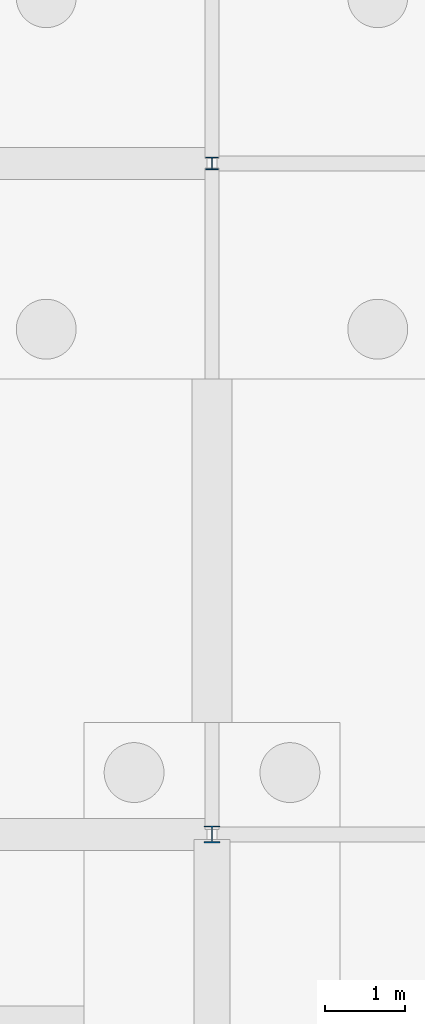
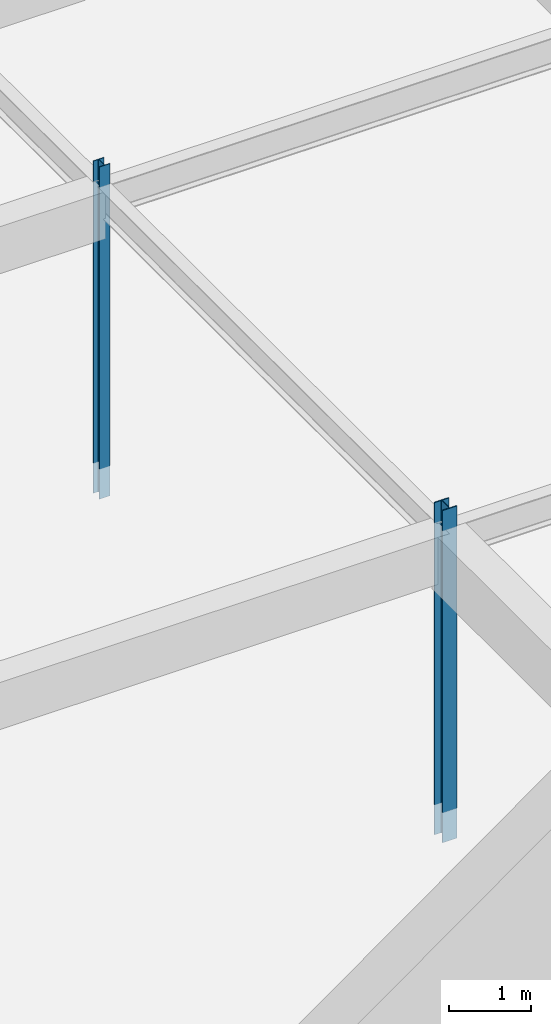
# One storey, part 33 of 75: 2 columns.
"""IFC4 building model written with IfcOpenShell, lengths in metres."""

import ifcopenshell
import ifcopenshell.guid

model = None  # the IFC model being written
_history = None  # IfcOwnerHistory: only IFC2X3 demands one
_inside = {}  # id of a spatial element -> (the spatial element, [elements in it])
_under = {}  # id of a project, library or spatial element -> (it, [spatial elements below it])
_declared = {}  # id of a project -> (the project, [libraries it declares])
_typed = {}  # id of a type object -> (the type object, [elements of that type])
_made_of = {}  # id of a material, layer set ... -> (it, [elements and type objects made of it])


def new_model(schema):
    """Start an empty IFC model of exactly this schema.

    Asked for "IFC4X3", IfcOpenShell would pick the latest addendum, in which some entities
    have other attributes; the version numbers below select the first issue.
    IFC2X3 requires an IfcOwnerHistory on every rooted entity: one is made here for all.
    """
    global model, _history
    if schema == "IFC4X3":
        model = ifcopenshell.file(schema_version=(4, 3, 0, 0))
    else:
        model = ifcopenshell.file(schema=schema)
    _inside.clear()
    _under.clear()
    _declared.clear()
    _typed.clear()
    _made_of.clear()
    _history = None
    if model.schema == "IFC2X3":
        org = make("IfcOrganization", Name="unknown")
        user = make(
            "IfcPersonAndOrganization",
            ThePerson=make("IfcPerson", FamilyName="unknown"),
            TheOrganization=org,
        )
        app = make(
            "IfcApplication",
            ApplicationDeveloper=org,
            Version="unknown",
            ApplicationFullName="unknown",
            ApplicationIdentifier="unknown",
        )
        _history = make(
            "IfcOwnerHistory",
            OwningUser=user,
            OwningApplication=app,
            ChangeAction="ADDED",
            CreationDate=0,
        )
    return model


def make(cls, **values):
    """One entity of the class cls with the attributes given. An attribute that is None is left unset."""
    return model.create_entity(
        cls, **{name: value for name, value in values.items() if value is not None}
    )


def rooted(cls, **values):
    """An entity with a GlobalId (a new one), such as an element, a storey or a relation."""
    return make(cls, GlobalId=ifcopenshell.guid.new(), OwnerHistory=_history, **values)


def si_unit(unit_type, name, prefix=None):
    """IfcSIUnit, for example si_unit("LENGTHUNIT", "METRE", prefix="MILLI")."""
    return make("IfcSIUnit", UnitType=unit_type, Prefix=prefix, Name=name)


def derived_unit(unit_type, elements):
    """IfcDerivedUnit: a product of units, each with its exponent."""
    return make(
        "IfcDerivedUnit",
        Elements=[
            make("IfcDerivedUnitElement", Unit=unit, Exponent=power)
            for unit, power in elements
        ],
        UnitType=unit_type,
    )


def assignment(units):
    """IfcUnitAssignment: the units of a project."""
    return None if units is None else make("IfcUnitAssignment", Units=units)


def point(xyz):
    """IfcCartesianPoint."""
    return None if xyz is None else make("IfcCartesianPoint", Coordinates=xyz)


def direction(xyz):
    """IfcDirection."""
    return None if xyz is None else make("IfcDirection", DirectionRatios=xyz)


def frame(location, z_axis=None, x_axis=None):
    """IfcAxis2Placement3D, a coordinate frame: its origin and axes. An axis left out is left unset."""
    return make(
        "IfcAxis2Placement3D",
        Location=point(location),
        Axis=direction(z_axis),
        RefDirection=direction(x_axis),
    )


def frame_2d(location, x_axis=None):
    """IfcAxis2Placement2D, a coordinate frame in the plane: its origin and x axis."""
    return make(
        "IfcAxis2Placement2D", Location=point(location), RefDirection=direction(x_axis)
    )


def origin():
    """The frame at (0, 0, 0) with its axes left unset."""
    return frame((0.0, 0.0, 0.0))


def origin_2d_with_axis():
    """The frame at (0, 0) in the plane with the x axis (1, 0) written out."""
    return frame_2d((0.0, 0.0), x_axis=(1.0, 0.0))


def place(relative_to, where):
    """IfcLocalPlacement: puts the frame where relative to a parent placement (None: the world)."""
    return make(
        "IfcLocalPlacement", PlacementRelTo=relative_to, RelativePlacement=where
    )


def context(
    kind, dimensions, precision=None, world=None, true_north=None, identifier=None
):
    """IfcGeometricRepresentationContext, for example the 3D "Model" context."""
    return make(
        "IfcGeometricRepresentationContext",
        ContextIdentifier=identifier,
        ContextType=kind,
        CoordinateSpaceDimension=dimensions,
        Precision=precision,
        WorldCoordinateSystem=world,
        TrueNorth=true_north,
    )


def subcontext(parent, identifier, kind, view, scale=None):
    """IfcGeometricRepresentationSubContext, for example "Body" below "Model"."""
    return make(
        "IfcGeometricRepresentationSubContext",
        ContextIdentifier=identifier,
        ContextType=kind,
        ParentContext=parent,
        TargetScale=scale,
        TargetView=view,
    )


def project(units=None, contexts=None):
    """IfcProject with its units and contexts."""
    return rooted(
        "IfcProject",
        Name="project",
        RepresentationContexts=contexts,
        UnitsInContext=assignment(units),
    )


def spatial(cls, under=None, at=None, **own):
    """A site, building, storey or space (cls), placed at a placement, below another one or the project."""
    s = rooted(cls, ObjectPlacement=at, **own)
    if under is not None:
        _under.setdefault(under.id(), (under, []))[1].append(s)
    return s


def profile(cls, at=None, kind="AREA", **sizes):
    """A parametric profile (cls). Its sizes go by their IFC names, for example OverallWidth=200.0."""
    return make(cls, ProfileType=kind, Position=at, **sizes)


def i_section(**sizes):
    """IfcIShapeProfileDef."""
    return profile("IfcIShapeProfileDef", **sizes)


def extrude(swept, where, along, depth):
    """IfcExtrudedAreaSolid: the profile swept, set in the frame where, extruded along a direction by depth."""
    return make(
        "IfcExtrudedAreaSolid",
        SweptArea=swept,
        Position=where,
        ExtrudedDirection=direction(along),
        Depth=depth,
    )


def shape(context_of_items, identifier, shape_type, items):
    """IfcShapeRepresentation: the items that make up one representation, for example the "Body"."""
    return make(
        "IfcShapeRepresentation",
        ContextOfItems=context_of_items,
        RepresentationIdentifier=identifier,
        RepresentationType=shape_type,
        Items=items,
    )


def material(Name=None, Category=None):
    """IfcMaterial."""
    return make("IfcMaterial", Name=Name, Category=Category)


def material_profile(
    of_material, cross_section, Name=None, Category=None, Priority=None
):
    """IfcMaterialProfile: a cross section and its material."""
    return make(
        "IfcMaterialProfile",
        Name=Name,
        Material=of_material,
        Profile=cross_section,
        Priority=Priority,
        Category=Category,
    )


def profile_set(profiles, Name=None, composite=None):
    """IfcMaterialProfileSet."""
    return make(
        "IfcMaterialProfileSet",
        Name=Name,
        MaterialProfiles=profiles,
        CompositeProfile=composite,
    )


def made_of(thing, what):
    """Note that an element or type object is made of a material, layer set ...; save() writes the relation."""
    if what is not None:
        _made_of.setdefault(what.id(), (what, []))[1].append(thing)
    return thing


def type_object(cls, material=None, **own):
    """A type object (cls), such as IfcWallType, which elements share."""
    return made_of(rooted(cls, **own), material)


def element(
    cls,
    number,
    at=None,
    inside=None,
    cuts=None,
    type_object=None,
    material=None,
    context=None,
    identifier="Body",
    shape_type=None,
    held_by="IfcProductDefinitionShape",
    body=None,
    shapes=None,
    **own,
):
    """One element of the class cls, such as IfcWall. Its Tag is "e" and its number.

    at: its placement. inside: the storey or other place that contains it. cuts: it is an
    opening in that element (IfcRelVoidsElement). A single representation is given by context,
    identifier, shape_type and body (its items); several are given by shapes. held_by: the class
    of the entity that holds the representations. save() writes the other relations.
    """
    e = rooted(cls, Tag="e%d" % number, ObjectPlacement=at, **own)
    if body is not None:
        shapes = [shape(context, identifier, shape_type, body)]
    if shapes is not None:
        e.Representation = make(held_by, Representations=shapes)
    if inside is not None:
        _inside.setdefault(inside.id(), (inside, []))[1].append(e)
    if cuts is not None:
        rooted(
            "IfcRelVoidsElement", RelatingBuildingElement=cuts, RelatedOpeningElement=e
        )
    if type_object is not None:
        _typed.setdefault(type_object.id(), (type_object, []))[1].append(e)
    return made_of(e, material)


def aggregate(whole, parts):
    """IfcRelAggregates: a whole, such as a stair, and the parts it consists of."""
    return rooted("IfcRelAggregates", RelatingObject=whole, RelatedObjects=parts)


def save(model, path):
    """Write the relations noted so far, then the file.

    IfcRelAggregates (storeys below a building ...), IfcRelContainedInSpatialStructure (elements
    in a storey), IfcRelDefinesByType, IfcRelAssociatesMaterial and IfcRelDeclares: one each for
    every whole, place, type object, material and project.
    """
    for whole, parts in _under.values():
        aggregate(whole, parts)
    for where, things in _inside.values():
        rooted(
            "IfcRelContainedInSpatialStructure",
            RelatedElements=things,
            RelatingStructure=where,
        )
    for kind, things in _typed.values():
        rooted("IfcRelDefinesByType", RelatedObjects=things, RelatingType=kind)
    for what, things in _made_of.values():
        rooted("IfcRelAssociatesMaterial", RelatedObjects=things, RelatingMaterial=what)
    for by, libraries in _declared.values():
        rooted("IfcRelDeclares", RelatingContext=by, RelatedDefinitions=libraries)
    model.write(path)


model = new_model("IFC4")

# Units and contexts
model_context = context("Model", 3, precision=1e-05, world=origin(), true_north=direction((0.0, 1.0)))
body_context = subcontext(model_context, "Body", "Model", "MODEL_VIEW")
ifc_project = project(units=[si_unit("LENGTHUNIT", "METRE"), si_unit("AREAUNIT", "SQUARE_METRE"), si_unit("VOLUMEUNIT", "CUBIC_METRE"), si_unit("PLANEANGLEUNIT", "RADIAN"), si_unit("MASSUNIT", "GRAM", prefix="KILO"), derived_unit("THERMALTRANSMITTANCEUNIT", [(si_unit("POWERUNIT", "WATT"), 1), (si_unit("LENGTHUNIT", "METRE"), -2), (si_unit("THERMODYNAMICTEMPERATUREUNIT", "KELVIN"), -1)])], contexts=[model_context])

# Site, building, storey
site_placement = place(None, origin())
site = spatial("IfcSite", under=ifc_project, at=site_placement, CompositionType="ELEMENT")
building_placement = place(site_placement, origin())
building = spatial("IfcBuilding", under=site, at=building_placement, Name="Cinnabar Yard Market Hall", CompositionType="ELEMENT")
storey_placement = place(building_placement, frame((0.0, 0.0, -4.5)))
storey = spatial("IfcBuildingStorey", under=building, at=storey_placement, Name="B1", CompositionType="ELEMENT", Elevation=-4.5)

# Columns
ifc_material = material(Name="Steel Grade 300 (300 MPa)", Category="steel")
ifc_material_profile_1 = material_profile(ifc_material, i_section(OverallWidth=0.205078125, OverallDepth=0.209716796875, WebThickness=0.00927734375, FlangeThickness=0.01416015625, FilletRadius=0.011474609375, at=origin_2d_with_axis()), Name="200UC59.5")
ifc_profile_set_1 = profile_set([ifc_material_profile_1], Name="Steel Grade 300 (300 MPa)")
column_type_1 = type_object("IfcColumnType", Name="COL-C17", PredefinedType="COLUMN", material=ifc_profile_set_1)
column_1_placement = place(storey_placement, frame((96.0, 112.800048828125, -0.449951171875), z_axis=(0.0, 0.0, 1.0), x_axis=(1.0, 0.0, 0.0)))
element("IfcColumn", 1, at=column_1_placement, inside=storey, type_object=column_type_1, Name="Wing Column V3-04-02 B1", PredefinedType="COLUMN", context=body_context, shape_type="SweptSolid", body=[
    extrude(i_section(OverallWidth=0.205078125, OverallDepth=0.209716796875, WebThickness=0.00927734375, FlangeThickness=0.01416015625, FilletRadius=0.011474609375, at=origin_2d_with_axis()), origin(), (0.0, 0.0, 1.0), 4.949951171875),
])
ifc_material_profile_2 = material_profile(ifc_material, i_section(OverallWidth=0.15283203125, OverallDepth=0.15771484375, WebThickness=0.006591796875, FlangeThickness=0.009521484375, FilletRadius=0.0087890625, at=origin_2d_with_axis()), Name="150UC30.0")
ifc_profile_set_2 = profile_set([ifc_material_profile_2], Name="Steel Grade 300 (300 MPa)")
column_type_2 = type_object("IfcColumnType", Name="COL-C18", PredefinedType="COLUMN", material=ifc_profile_set_2)
column_2_placement = place(storey_placement, frame((96.0, 121.199951171875, -0.449951171875), z_axis=(0.0, 0.0, 1.0), x_axis=(1.0, 0.0, 0.0)))
element("IfcColumn", 2, at=column_2_placement, inside=storey, type_object=column_type_2, Name="Wing Column V3-04-03 B1", PredefinedType="COLUMN", context=body_context, shape_type="SweptSolid", body=[
    extrude(i_section(OverallWidth=0.15283203125, OverallDepth=0.15771484375, WebThickness=0.006591796875, FlangeThickness=0.009521484375, FilletRadius=0.0087890625, at=origin_2d_with_axis()), origin(), (0.0, 0.0, 1.0), 4.949951171875),
])

save(model, "model.ifc")
